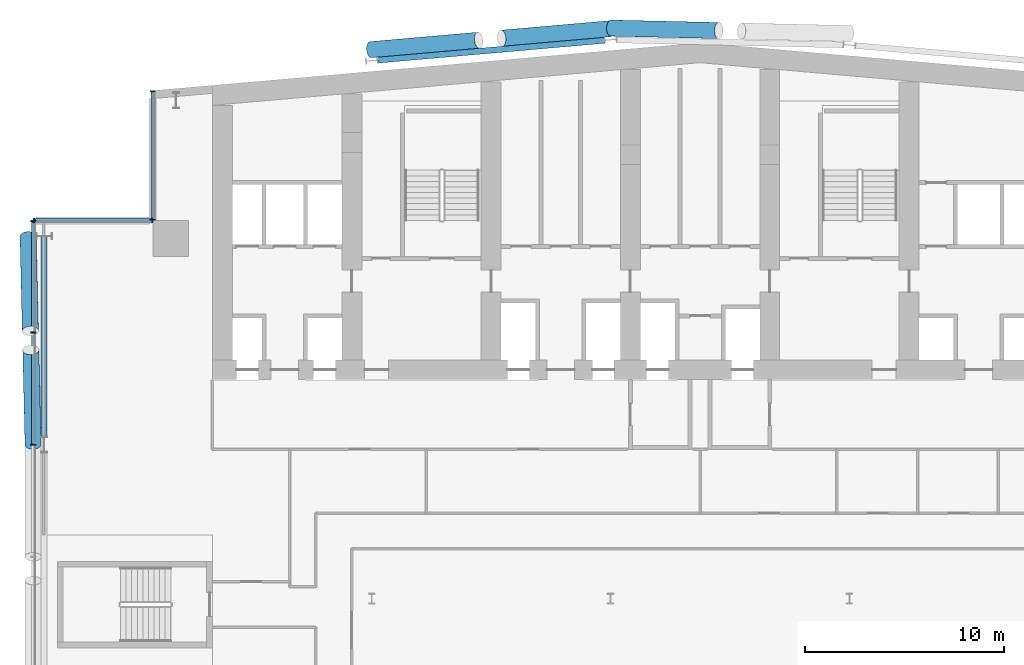
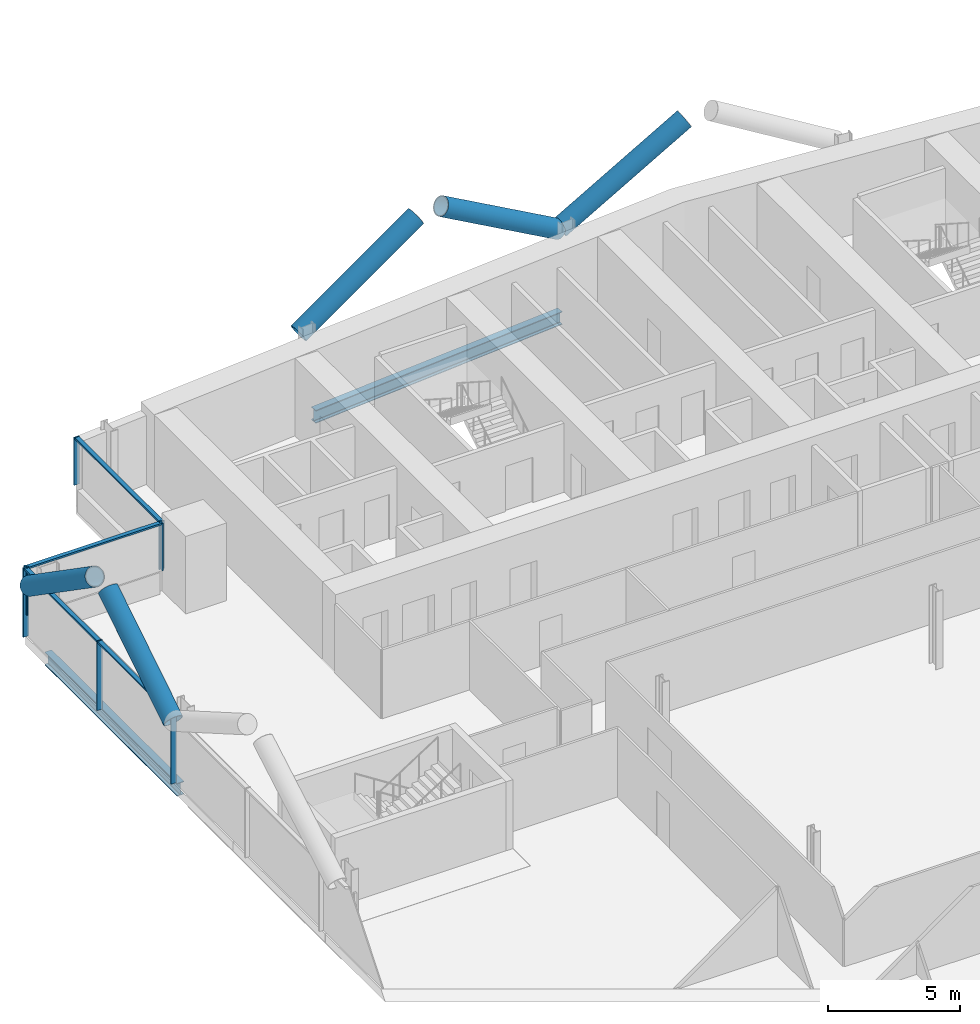
# One storey, part 8 of 30: 16 members, 2 beams, 3 elements without a shape of their own.
"""IFC4 building model written with IfcOpenShell, lengths in metres."""

from ifc_helpers import new_model, si_unit, direction, frame, origin, origin_2d, place, context, subcontext, project, spatial, rectangle, hollow_circle, i_section, extrude, material, material_profile, profile_set, type_object, element, aggregate, save


model = new_model("IFC4")

# Units and contexts
model_context = context("Model", 3, precision=1e-05, world=origin(), true_north=direction((0.0, 1.0)))
body_context = subcontext(model_context, "Body", "Model", "MODEL_VIEW")
ifc_project = project(units=[si_unit("LENGTHUNIT", "METRE"), si_unit("AREAUNIT", "SQUARE_METRE"), si_unit("VOLUMEUNIT", "CUBIC_METRE"), si_unit("PLANEANGLEUNIT", "RADIAN"), si_unit("MASSUNIT", "GRAM", prefix="KILO")], contexts=[model_context])

# Site, building, storey
site_placement = place(None, origin())
site = spatial("IfcSite", under=ifc_project, at=site_placement, CompositionType="ELEMENT")
building_placement = place(site_placement, origin())
building = spatial("IfcBuilding", under=site, at=building_placement, Name="Wharfspan Tower", CompositionType="ELEMENT")
storey_placement = place(building_placement, frame((0.0, 0.0, 107.5)))
storey = spatial("IfcBuildingStorey", under=building, at=storey_placement, Name="L24", CompositionType="ELEMENT", Elevation=107.5)

# Beams
ifc_material_1 = material(Name="Steel S355J2", Category="steel")
ifc_material_profile_1 = material_profile(ifc_material_1, i_section(OverallWidth=0.300049, OverallDepth=0.600098, WebThickness=0.015381, FlangeThickness=0.030029, FilletRadius=0.0271, at=origin_2d()))
ifc_profile_set_1 = profile_set([ifc_material_profile_1], Name="Steel S355J2")
beam_type = type_object("IfcBeamType", Name="Edge beam HEB 600", PredefinedType="SPANDREL", material=ifc_profile_set_1)
beam_1_placement = place(storey_placement, frame((35.695068, 51.050537, -0.699951), z_axis=(-0.996194, -0.087162, 0.0), x_axis=(0.087162, -0.996194, 0.0)))
element("IfcBeam", 1, at=beam_1_placement, inside=storey, type_object=beam_type, Name="Edge beam N1 L24 R.2 to R.1", PredefinedType="SPANDREL", context=body_context, shape_type="SweptSolid", body=[
    extrude(i_section(OverallWidth=0.300049, OverallDepth=0.600098, WebThickness=0.015381, FlangeThickness=0.030029, FilletRadius=0.0271, at=origin_2d()), origin(), (0.0, 0.0, 1.0), 11.433594),
])
beam_2_placement = place(storey_placement, frame((7.544434, 41.201416, -0.699951), z_axis=(-0.000412, -1.0, 0.0), x_axis=(1.0, -0.000412, 0.0)))
element("IfcBeam", 2, at=beam_2_placement, inside=storey, type_object=beam_type, Name="Edge beam W L24 PNRW-H.1 to PW.1", PredefinedType="SPANDREL", context=body_context, shape_type="SweptSolid", body=[
    extrude(i_section(OverallWidth=0.300049, OverallDepth=0.600098, WebThickness=0.015381, FlangeThickness=0.030029, FilletRadius=0.0271, at=origin_2d()), origin(), (0.0, 0.0, 1.0), 10.065186),
])

# Curtain wall, members
ifc_material_2 = material(Name="Aluminium 6063-T6", Category="aluminium")
curtain_wall_type = type_object("IfcCurtainWallType", Name="CURTAIN WALL PROW AND END", PredefinedType="NOTDEFINED", material=ifc_material_2)
curtain_wall_1_placement = place(storey_placement, origin())
curtain_wall_1 = element("IfcCurtainWall", 3, at=curtain_wall_1_placement, inside=storey, type_object=curtain_wall_type, Name="Curtain wall NRW-V", PredefinedType="NOTDEFINED")
ifc_material_profile_2 = material_profile(ifc_material_2, rectangle(XDim=0.23999, YDim=0.060059, at=origin_2d()))
ifc_profile_set_2 = profile_set([ifc_material_profile_2], Name="Aluminium 6063-T6")
member_type_1 = type_object("IfcMemberType", Name="MULLION PROW AND END 60x240", PredefinedType="MULLION", material=ifc_profile_set_2)
member_1_placement = place(storey_placement, frame((13.0, 48.494873, 1.0), z_axis=(0.0, 0.0, 1.0), x_axis=(1.0, 0.0, 0.0)))
member_1 = element("IfcMember", 4, at=member_1_placement, type_object=member_type_1, Name="Curtain wall NRW-V mullion 1", PredefinedType="MULLION", context=body_context, shape_type="SweptSolid", body=[
    extrude(rectangle(XDim=0.23999, YDim=0.060059, at=origin_2d()), origin(), (0.0, 0.0, 1.0), 2.199951),
])
member_2_placement = place(storey_placement, frame((13.0, 42.030029, 1.0), z_axis=(0.0, 0.0, 1.0), x_axis=(1.0, 0.0, 0.0)))
member_2 = element("IfcMember", 5, at=member_2_placement, type_object=member_type_1, Name="Curtain wall NRW-V mullion 2", PredefinedType="MULLION", context=body_context, shape_type="SweptSolid", body=[
    extrude(rectangle(XDim=0.23999, YDim=0.060059, at=origin_2d()), origin(), (0.0, 0.0, 1.0), 2.199951),
])

curtain_wall_2_placement = place(storey_placement, origin())
curtain_wall_2 = element("IfcCurtainWall", 6, at=curtain_wall_2_placement, inside=storey, type_object=curtain_wall_type, Name="Curtain wall NRW-H", PredefinedType="NOTDEFINED")
member_3_placement = place(storey_placement, frame((12.969971, 42.0, 1.0), z_axis=(0.0, 0.0, 1.0), x_axis=(0.0, -1.0, 0.0)))
member_3 = element("IfcMember", 7, at=member_3_placement, type_object=member_type_1, Name="Curtain wall NRW-H mullion 1", PredefinedType="MULLION", context=body_context, shape_type="SweptSolid", body=[
    extrude(rectangle(XDim=0.23999, YDim=0.060059, at=origin_2d()), origin(), (0.0, 0.0, 1.0), 2.199951),
])
member_4_placement = place(storey_placement, frame((7.030029, 42.0, 1.0), z_axis=(0.0, 0.0, 1.0), x_axis=(0.0, -1.0, 0.0)))
member_4 = element("IfcMember", 8, at=member_4_placement, type_object=member_type_1, Name="Curtain wall NRW-H mullion 2", PredefinedType="MULLION", context=body_context, shape_type="SweptSolid", body=[
    extrude(rectangle(XDim=0.23999, YDim=0.060059, at=origin_2d()), origin(), (0.0, 0.0, 1.0), 2.199951),
])

curtain_wall_3_placement = place(storey_placement, origin())
curtain_wall_3 = element("IfcCurtainWall", 9, at=curtain_wall_3_placement, inside=storey, type_object=curtain_wall_type, Name="Curtain wall W", PredefinedType="NOTDEFINED")
member_5_placement = place(storey_placement, frame((7.0, 41.969971, 0.0), z_axis=(0.0, 0.0, 1.0), x_axis=(1.0, 0.0, 0.0)))
member_5 = element("IfcMember", 10, at=member_5_placement, type_object=member_type_1, Name="Curtain wall W mullion 1", PredefinedType="MULLION", context=body_context, shape_type="SweptSolid", body=[
    extrude(rectangle(XDim=0.23999, YDim=0.060059, at=origin_2d()), origin(), (0.0, 0.0, 1.0), 3.199951),
])
member_6_placement = place(storey_placement, frame((7.0, 36.366699, 0.0), z_axis=(0.0, 0.0, 1.0), x_axis=(1.0, 0.0, 0.0)))
member_6 = element("IfcMember", 11, at=member_6_placement, type_object=member_type_1, Name="Curtain wall W mullion 2", PredefinedType="MULLION", context=body_context, shape_type="SweptSolid", body=[
    extrude(rectangle(XDim=0.23999, YDim=0.060059, at=origin_2d()), origin(), (0.0, 0.0, 1.0), 3.199951),
])
member_7_placement = place(storey_placement, frame((7.0, 30.733398, 0.0), z_axis=(0.0, 0.0, 1.0), x_axis=(1.0, 0.0, 0.0)))
member_7 = element("IfcMember", 12, at=member_7_placement, type_object=member_type_1, Name="Curtain wall W mullion 3", PredefinedType="MULLION", context=body_context, shape_type="SweptSolid", body=[
    extrude(rectangle(XDim=0.23999, YDim=0.060059, at=origin_2d()), origin(), (0.0, 0.0, 1.0), 3.199951),
])

# Members
ifc_material_3 = material(Name="Steel S460NH", Category="steel")
ifc_material_profile_3 = material_profile(ifc_material_3, hollow_circle(Radius=0.406494, WallThickness=0.040039, at=origin_2d()))
ifc_profile_set_3 = profile_set([ifc_material_profile_3], Name="Steel S460NH")
member_type_2 = type_object("IfcMemberType", Name="Mega brace CHS 813x40", PredefinedType="BRACE", material=ifc_profile_set_3)
for number, where, z_axis, x_axis, name in (
    (13, (6.734131, 41.208008, 2.899902), (0.019722, -0.823926, 0.566354), (0.999713, 0.023927, -4e-06), "Mega brace W4 L25 part 1"),
    (14, (6.985107, 30.733398, 2.899902), (-0.019765, 0.823912, 0.566373), (-0.999715, -0.023981, -2e-06), "Mega brace W4 L25 part 3"),
):
    element("IfcMember", number, at=place(storey_placement, frame(where, z_axis=z_axis, x_axis=x_axis)), inside=storey, type_object=member_type_2, Name=name, PredefinedType="BRACE", context=body_context, shape_type="SweptSolid", body=[
        extrude(hollow_circle(Radius=0.406494, WallThickness=0.040039, at=origin_2d()), origin(), (0.0, 0.0, 1.0), 5.768555),
    ])
member_8_placement = place(storey_placement, frame((36.012939, 51.665771, 2.899902), z_axis=(0.857317, -0.019649, 0.514413), x_axis=(0.022912, 0.999739, 2e-06)))
element("IfcMember", 15, at=member_8_placement, inside=storey, type_object=member_type_2, Name="Mega brace N7 L25 part 1", PredefinedType="BRACE", context=body_context, shape_type="SweptSolid", body=[
    extrude(hollow_circle(Radius=0.406494, WallThickness=0.040039, at=origin_2d()), origin(), (0.0, 0.0, 1.0), 6.324463),
])
member_9_placement = place(storey_placement, frame((23.95166, 50.581299, 2.899902), z_axis=(0.855079, 0.074777, 0.513078), x_axis=(-0.087118, 0.996199, 0.0)))
element("IfcMember", 16, at=member_9_placement, inside=storey, type_object=member_type_2, Name="Mega brace N8 L25 part 1", PredefinedType="BRACE", context=body_context, shape_type="SweptSolid", body=[
    extrude(hollow_circle(Radius=0.406494, WallThickness=0.040039, at=origin_2d()), origin(), (0.0, 0.0, 1.0), 6.340576),
])
member_10_placement = place(storey_placement, frame((35.95166, 51.631104, 2.899902), z_axis=(-0.855087, -0.074812, 0.51306), x_axis=(0.087157, -0.996195, -1e-06)))
element("IfcMember", 17, at=member_10_placement, inside=storey, type_object=member_type_2, Name="Mega brace N8 L25 part 3", PredefinedType="BRACE", context=body_context, shape_type="SweptSolid", body=[
    extrude(hollow_circle(Radius=0.406494, WallThickness=0.040039, at=origin_2d()), origin(), (0.0, 0.0, 1.0), 6.34082),
])

# Member
ifc_material_profile_4 = material_profile(ifc_material_2, rectangle(XDim=0.179932, YDim=0.080078, at=origin_2d()))
ifc_profile_set_4 = profile_set([ifc_material_profile_4], Name="Aluminium 6063-T6")
member_type_3 = type_object("IfcMemberType", Name="TRANSOM PROW AND END 80x180", PredefinedType="USERDEFINED", material=ifc_profile_set_4)
member_11_placement = place(storey_placement, frame((13.0, 48.464844, 3.159912), z_axis=(0.0, -1.0, 0.0), x_axis=(1.0, 0.0, 0.0)))
member_11 = element("IfcMember", 18, at=member_11_placement, type_object=member_type_3, Name="Curtain wall NRW-V transom 1", ObjectType="TRANSOM", PredefinedType="USERDEFINED", context=body_context, shape_type="SweptSolid", body=[
    extrude(rectangle(XDim=0.179932, YDim=0.080078, at=origin_2d()), origin(), (0.0, 0.0, 1.0), 6.404785),
])

aggregate(curtain_wall_1, [member_1, member_2, member_11])

member_12_placement = place(storey_placement, frame((12.939941, 42.0, 3.159912), z_axis=(-1.0, 0.0, 0.0), x_axis=(0.0, -1.0, 0.0)))
member_12 = element("IfcMember", 19, at=member_12_placement, type_object=member_type_3, Name="Curtain wall NRW-H transom 1", ObjectType="TRANSOM", PredefinedType="USERDEFINED", context=body_context, shape_type="SweptSolid", body=[
    extrude(rectangle(XDim=0.179932, YDim=0.080078, at=origin_2d()), origin(), (0.0, 0.0, 1.0), 5.879883),
])

aggregate(curtain_wall_2, [member_3, member_4, member_12])

member_13_placement = place(storey_placement, frame((7.0, 41.939941, 3.159912), z_axis=(0.0, -1.0, 0.0), x_axis=(1.0, 0.0, 0.0)))
member_13 = element("IfcMember", 20, at=member_13_placement, type_object=member_type_3, Name="Curtain wall W transom 1", ObjectType="TRANSOM", PredefinedType="USERDEFINED", context=body_context, shape_type="SweptSolid", body=[
    extrude(rectangle(XDim=0.179932, YDim=0.080078, at=origin_2d()), origin(), (0.0, 0.0, 1.0), 5.543213),
])

member_14_placement = place(storey_placement, frame((7.0, 36.33667, 3.159912), z_axis=(0.0, -1.0, 0.0), x_axis=(1.0, 0.0, 0.0)))
member_14 = element("IfcMember", 21, at=member_14_placement, type_object=member_type_3, Name="Curtain wall W transom 2", ObjectType="TRANSOM", PredefinedType="USERDEFINED", context=body_context, shape_type="SweptSolid", body=[
    extrude(rectangle(XDim=0.179932, YDim=0.080078, at=origin_2d()), origin(), (0.0, 0.0, 1.0), 5.573242),
])

aggregate(curtain_wall_3, [member_5, member_6, member_7, member_13, member_14])

save(model, "model.ifc")
